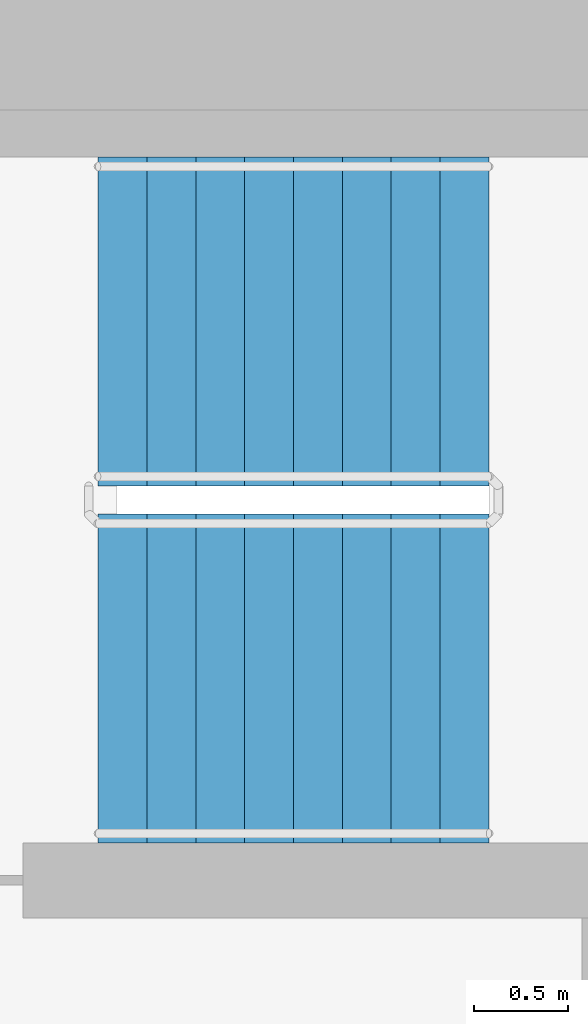
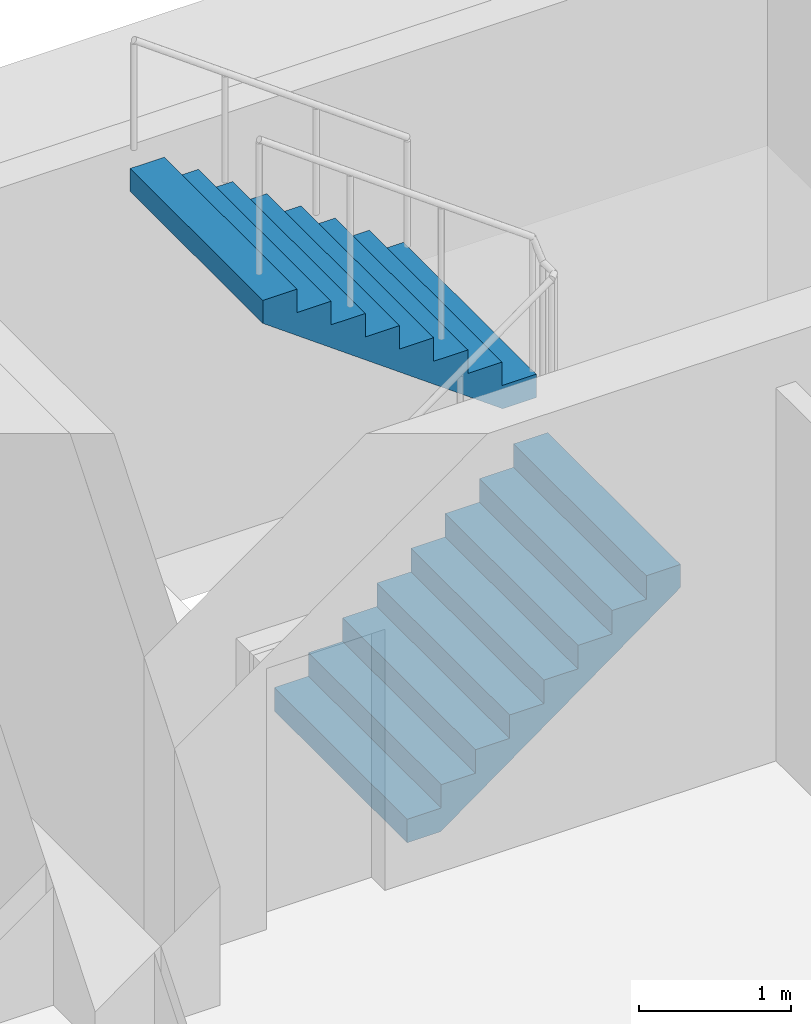
# One storey, part 17 of 22: 2 stair flights, 1 element without a shape of its own.
"""IFC4 building model written with IfcOpenShell, lengths in metres."""

from ifc_helpers import new_model, si_unit, direction, frame, origin, place, context, subcontext, project, spatial, faceted_brep, material, type_object, element, aggregate, save


model = new_model("IFC4")

# Units and contexts
model_context = context("Model", 3, precision=1e-05, world=origin(), true_north=direction((0.0, 1.0)))
body_context = subcontext(model_context, "Body", "Model", "MODEL_VIEW")
ifc_project = project(units=[si_unit("LENGTHUNIT", "METRE"), si_unit("AREAUNIT", "SQUARE_METRE"), si_unit("VOLUMEUNIT", "CUBIC_METRE"), si_unit("PLANEANGLEUNIT", "RADIAN"), si_unit("MASSUNIT", "GRAM", prefix="KILO")], contexts=[model_context])

# Site, building, storey
site_placement = place(None, origin())
site = spatial("IfcSite", under=ifc_project, at=site_placement, CompositionType="ELEMENT")
building_placement = place(site_placement, origin())
building = spatial("IfcBuilding", under=site, at=building_placement, Name="Ipe Terrace Towers", CompositionType="ELEMENT")
storey_placement = place(building_placement, frame((0.0, 0.0, 90.199951171875)))
storey = spatial("IfcBuildingStorey", under=building, at=storey_placement, Name="L24", CompositionType="ELEMENT", Elevation=90.199951171875)

# Stair, stair flights
ifc_material_1 = material(Name="Concrete C30/37", Category="concrete")
stair_type = type_object("IfcStairType", Name="Protected exit stair", PredefinedType="HALF_TURN_STAIR", material=ifc_material_1)
stair_placement = place(storey_placement, origin())
stair = element("IfcStair", 1, at=stair_placement, inside=storey, type_object=stair_type, Name="L24 Exit stair T1-C1", PredefinedType="HALF_TURN_STAIR")
ifc_material_2 = material(Name="Concrete C30/37", Category="concrete")
stair_flight_type = type_object("IfcStairFlightType", Name="Exit stair flight 1750", PredefinedType="STRAIGHT", material=ifc_material_2)
stair_flight_1_placement = place(storey_placement, frame((-26.300048828125, 2.77490234375, 0.0), z_axis=(0.0, 0.0, 1.0), x_axis=(1.0, 0.0, 0.0)))
stair_flight_1 = element("IfcStairFlight", 2, at=stair_flight_1_placement, type_object=stair_flight_type, Name="T1-ST1 flight 1", NumberOfRisers=9, NumberOfTreads=8, PredefinedType="STRAIGHT", RiserHeight=0.188888889, TreadLength=0.26, context=body_context, shape_type="Brep", body=[
    faceted_brep([(0.255126953125, -0.875, 0.0), (2.080078125, -0.875, 1.325927734375), (2.080078125, -0.875, 1.51123046875), (1.820068359375, -0.875, 1.51123046875), (1.820068359375, -0.875, 1.322265625), (1.56005859375, -0.875, 1.322265625), (1.56005859375, -0.875, 1.13330078125), (1.300048828125, -0.875, 1.13330078125), (1.300048828125, -0.875, 0.9443359375), (1.0400390625, -0.875, 0.9443359375), (1.0400390625, -0.875, 0.755615234375), (0.780029296875, -0.875, 0.755615234375), (0.780029296875, -0.875, 0.566650390625), (0.52001953125, -0.875, 0.566650390625), (0.52001953125, -0.875, 0.377685546875), (0.260009765625, -0.875, 0.377685546875), (0.260009765625, -0.875, 0.18896484375), (0.0, -0.875, 0.18896484375), (0.0, -0.875, 0.0), (0.0, 0.875, 0.0), (0.0, 0.875, 0.18896484375), (0.260009765625, 0.875, 0.18896484375), (0.260009765625, 0.875, 0.377685546875), (0.52001953125, 0.875, 0.377685546875), (0.52001953125, 0.875, 0.566650390625), (0.780029296875, 0.875, 0.566650390625), (0.780029296875, 0.875, 0.755615234375), (1.0400390625, 0.875, 0.755615234375), (1.0400390625, 0.875, 0.9443359375), (1.300048828125, 0.875, 0.9443359375), (1.300048828125, 0.875, 1.13330078125), (1.56005859375, 0.875, 1.13330078125), (1.56005859375, 0.875, 1.322265625), (1.820068359375, 0.875, 1.322265625), (1.820068359375, 0.875, 1.51123046875), (2.080078125, 0.875, 1.51123046875), (2.080078125, 0.875, 1.325927734375), (0.255126953125, 0.875, 0.0), (0.0, -0.300048828125, 0.18896484375), (0.0, -0.1201171875, 0.18896484375), (0.0, -0.06005859375, 0.18896484375), (0.0, -0.030029296875, 0.18896484375), (0.0, -0.010009765625, 0.18896484375), (0.0, 0.0, 0.18896484375), (0.0, 0.010009765625, 0.18896484375), (0.0, 0.030029296875, 0.18896484375), (0.0, 0.06005859375, 0.18896484375), (0.0, 0.1201171875, 0.18896484375), (0.0, 0.300048828125, 0.18896484375), (0.0, 0.300048828125, 0.0), (0.0, 0.1201171875, 0.0), (0.0, 0.06005859375, 0.0), (0.0, 0.030029296875, 0.0), (0.0, 0.010009765625, 0.0), (0.0, 0.0, 0.0), (0.0, -0.010009765625, 0.0), (0.0, -0.030029296875, 0.0), (0.0, -0.06005859375, 0.0), (0.0, -0.1201171875, 0.0), (0.0, -0.300048828125, 0.0), (0.260009765625, -0.300048828125, 0.18896484375), (0.260009765625, -0.1201171875, 0.18896484375), (0.260009765625, -0.06005859375, 0.18896484375), (0.260009765625, -0.030029296875, 0.18896484375), (0.260009765625, -0.010009765625, 0.18896484375), (0.260009765625, 0.0, 0.18896484375), (0.260009765625, 0.010009765625, 0.18896484375), (0.260009765625, 0.030029296875, 0.18896484375), (0.260009765625, 0.06005859375, 0.18896484375), (0.260009765625, 0.1201171875, 0.18896484375), (0.260009765625, 0.300048828125, 0.18896484375), (0.260009765625, -0.300048828125, 0.377685546875), (0.260009765625, -0.1201171875, 0.377685546875), (0.260009765625, -0.06005859375, 0.377685546875), (0.260009765625, -0.030029296875, 0.377685546875), (0.260009765625, -0.010009765625, 0.377685546875), (0.260009765625, 0.0, 0.377685546875), (0.260009765625, 0.010009765625, 0.377685546875), (0.260009765625, 0.030029296875, 0.377685546875), (0.260009765625, 0.06005859375, 0.377685546875), (0.260009765625, 0.1201171875, 0.377685546875), (0.260009765625, 0.300048828125, 0.377685546875), (0.52001953125, -0.300048828125, 0.377685546875), (0.52001953125, -0.1201171875, 0.377685546875), (0.52001953125, -0.06005859375, 0.377685546875), (0.52001953125, -0.030029296875, 0.377685546875), (0.52001953125, -0.010009765625, 0.377685546875), (0.52001953125, 0.0, 0.377685546875), (0.52001953125, 0.010009765625, 0.377685546875), (0.52001953125, 0.030029296875, 0.377685546875), (0.52001953125, 0.06005859375, 0.377685546875), (0.52001953125, 0.1201171875, 0.377685546875), (0.52001953125, 0.300048828125, 0.377685546875), (0.52001953125, -0.300048828125, 0.566650390625), (0.52001953125, -0.1201171875, 0.566650390625), (0.52001953125, -0.06005859375, 0.566650390625), (0.52001953125, -0.030029296875, 0.566650390625), (0.52001953125, -0.010009765625, 0.566650390625), (0.52001953125, 0.0, 0.566650390625), (0.52001953125, 0.010009765625, 0.566650390625), (0.52001953125, 0.030029296875, 0.566650390625), (0.52001953125, 0.06005859375, 0.566650390625), (0.52001953125, 0.1201171875, 0.566650390625), (0.52001953125, 0.300048828125, 0.566650390625), (0.780029296875, -0.300048828125, 0.566650390625), (0.780029296875, -0.1201171875, 0.566650390625), (0.780029296875, -0.06005859375, 0.566650390625), (0.780029296875, -0.030029296875, 0.566650390625), (0.780029296875, -0.010009765625, 0.566650390625), (0.780029296875, 0.0, 0.566650390625), (0.780029296875, 0.010009765625, 0.566650390625), (0.780029296875, 0.030029296875, 0.566650390625), (0.780029296875, 0.06005859375, 0.566650390625), (0.780029296875, 0.1201171875, 0.566650390625), (0.780029296875, 0.300048828125, 0.566650390625), (0.780029296875, -0.300048828125, 0.755615234375), (0.780029296875, -0.1201171875, 0.755615234375), (0.780029296875, -0.06005859375, 0.755615234375), (0.780029296875, -0.030029296875, 0.755615234375), (0.780029296875, -0.010009765625, 0.755615234375), (0.780029296875, 0.0, 0.755615234375), (0.780029296875, 0.010009765625, 0.755615234375), (0.780029296875, 0.030029296875, 0.755615234375), (0.780029296875, 0.06005859375, 0.755615234375), (0.780029296875, 0.1201171875, 0.755615234375), (0.780029296875, 0.300048828125, 0.755615234375), (1.0400390625, -0.300048828125, 0.755615234375), (1.0400390625, -0.1201171875, 0.755615234375), (1.0400390625, -0.06005859375, 0.755615234375), (1.0400390625, -0.030029296875, 0.755615234375), (1.0400390625, -0.010009765625, 0.755615234375), (1.0400390625, 0.0, 0.755615234375), (1.0400390625, 0.010009765625, 0.755615234375), (1.0400390625, 0.030029296875, 0.755615234375), (1.0400390625, 0.06005859375, 0.755615234375), (1.0400390625, 0.1201171875, 0.755615234375), (1.0400390625, 0.300048828125, 0.755615234375), (1.0400390625, -0.300048828125, 0.9443359375), (1.0400390625, -0.1201171875, 0.9443359375), (1.0400390625, -0.06005859375, 0.9443359375), (1.0400390625, -0.030029296875, 0.9443359375), (1.0400390625, -0.010009765625, 0.9443359375), (1.0400390625, 0.0, 0.9443359375), (1.0400390625, 0.010009765625, 0.9443359375), (1.0400390625, 0.030029296875, 0.9443359375), (1.0400390625, 0.06005859375, 0.9443359375), (1.0400390625, 0.1201171875, 0.9443359375), (1.0400390625, 0.300048828125, 0.9443359375), (1.300048828125, -0.300048828125, 0.9443359375), (1.300048828125, -0.1201171875, 0.9443359375), (1.300048828125, -0.06005859375, 0.9443359375), (1.300048828125, -0.030029296875, 0.9443359375), (1.300048828125, -0.010009765625, 0.9443359375), (1.300048828125, 0.0, 0.9443359375), (1.300048828125, 0.010009765625, 0.9443359375), (1.300048828125, 0.030029296875, 0.9443359375), (1.300048828125, 0.06005859375, 0.9443359375), (1.300048828125, 0.1201171875, 0.9443359375), (1.300048828125, 0.300048828125, 0.9443359375), (1.300048828125, -0.300048828125, 1.13330078125), (1.300048828125, -0.1201171875, 1.13330078125), (1.300048828125, -0.06005859375, 1.13330078125), (1.300048828125, -0.030029296875, 1.13330078125), (1.300048828125, -0.010009765625, 1.13330078125), (1.300048828125, 0.0, 1.13330078125), (1.300048828125, 0.010009765625, 1.13330078125), (1.300048828125, 0.030029296875, 1.13330078125), (1.300048828125, 0.06005859375, 1.13330078125), (1.300048828125, 0.1201171875, 1.13330078125), (1.300048828125, 0.300048828125, 1.13330078125), (1.56005859375, -0.300048828125, 1.13330078125), (1.56005859375, -0.1201171875, 1.13330078125), (1.56005859375, -0.06005859375, 1.13330078125), (1.56005859375, -0.030029296875, 1.13330078125), (1.56005859375, -0.010009765625, 1.13330078125), (1.56005859375, 0.0, 1.13330078125), (1.56005859375, 0.010009765625, 1.13330078125), (1.56005859375, 0.030029296875, 1.13330078125), (1.56005859375, 0.06005859375, 1.13330078125), (1.56005859375, 0.1201171875, 1.13330078125), (1.56005859375, 0.300048828125, 1.13330078125), (1.56005859375, -0.300048828125, 1.322265625), (1.56005859375, -0.1201171875, 1.322265625), (1.56005859375, -0.06005859375, 1.322265625), (1.56005859375, -0.030029296875, 1.322265625), (1.56005859375, -0.010009765625, 1.322265625), (1.56005859375, 0.0, 1.322265625), (1.56005859375, 0.010009765625, 1.322265625), (1.56005859375, 0.030029296875, 1.322265625), (1.56005859375, 0.06005859375, 1.322265625), (1.56005859375, 0.1201171875, 1.322265625), (1.56005859375, 0.300048828125, 1.322265625), (1.820068359375, -0.300048828125, 1.322265625), (1.820068359375, -0.1201171875, 1.322265625), (1.820068359375, -0.06005859375, 1.322265625), (1.820068359375, -0.030029296875, 1.322265625), (1.820068359375, -0.010009765625, 1.322265625), (1.820068359375, 0.0, 1.322265625), (1.820068359375, 0.010009765625, 1.322265625), (1.820068359375, 0.030029296875, 1.322265625), (1.820068359375, 0.06005859375, 1.322265625), (1.820068359375, 0.1201171875, 1.322265625), (1.820068359375, 0.300048828125, 1.322265625), (1.820068359375, -0.300048828125, 1.51123046875), (1.820068359375, -0.1201171875, 1.51123046875), (1.820068359375, -0.06005859375, 1.51123046875), (1.820068359375, -0.030029296875, 1.51123046875), (1.820068359375, -0.010009765625, 1.51123046875), (1.820068359375, 0.0, 1.51123046875), (1.820068359375, 0.010009765625, 1.51123046875), (1.820068359375, 0.030029296875, 1.51123046875), (1.820068359375, 0.06005859375, 1.51123046875), (1.820068359375, 0.1201171875, 1.51123046875), (1.820068359375, 0.300048828125, 1.51123046875), (2.080078125, -0.300048828125, 1.51123046875), (2.080078125, -0.1201171875, 1.51123046875), (2.080078125, -0.06005859375, 1.51123046875), (2.080078125, -0.030029296875, 1.51123046875), (2.080078125, -0.010009765625, 1.51123046875), (2.080078125, 0.0, 1.51123046875), (2.080078125, 0.010009765625, 1.51123046875), (2.080078125, 0.030029296875, 1.51123046875), (2.080078125, 0.06005859375, 1.51123046875), (2.080078125, 0.1201171875, 1.51123046875), (2.080078125, 0.300048828125, 1.51123046875), (2.080078125, -0.300048828125, 1.325927734375), (2.080078125, -0.1201171875, 1.325927734375), (2.080078125, -0.06005859375, 1.325927734375), (2.080078125, -0.030029296875, 1.325927734375), (2.080078125, -0.010009765625, 1.325927734375), (2.080078125, 0.0, 1.325927734375), (2.080078125, 0.010009765625, 1.325927734375), (2.080078125, 0.030029296875, 1.325927734375), (2.080078125, 0.06005859375, 1.325927734375), (2.080078125, 0.1201171875, 1.325927734375), (2.080078125, 0.300048828125, 1.325927734375), (0.255126953125, -0.300048828125, 0.0), (0.255126953125, -0.1201171875, 0.0), (0.255126953125, -0.06005859375, 0.0), (0.255126953125, -0.030029296875, 0.0), (0.255126953125, -0.010009765625, 0.0), (0.255126953125, 0.0, 0.0), (0.255126953125, 0.010009765625, 0.0), (0.255126953125, 0.030029296875, 0.0), (0.255126953125, 0.06005859375, 0.0), (0.255126953125, 0.1201171875, 0.0), (0.255126953125, 0.300048828125, 0.0)], [[[0, 1, 2, 3, 4, 5, 6, 7, 8, 9, 10, 11, 12, 13, 14, 15, 16, 17, 18]], [[19, 20, 21, 22, 23, 24, 25, 26, 27, 28, 29, 30, 31, 32, 33, 34, 35, 36, 37]], [[17, 38, 39, 40, 41, 42, 43, 44, 45, 46, 47, 48, 20, 19, 49, 50, 51, 52, 53, 54, 55, 56, 57, 58, 59, 18]], [[16, 60, 61, 62, 63, 64, 65, 66, 67, 68, 69, 70, 21, 20, 48, 47, 46, 45, 44, 43, 42, 41, 40, 39, 38, 17]], [[15, 71, 72, 73, 74, 75, 76, 77, 78, 79, 80, 81, 22, 21, 70, 69, 68, 67, 66, 65, 64, 63, 62, 61, 60, 16]], [[14, 82, 83, 84, 85, 86, 87, 88, 89, 90, 91, 92, 23, 22, 81, 80, 79, 78, 77, 76, 75, 74, 73, 72, 71, 15]], [[13, 93, 94, 95, 96, 97, 98, 99, 100, 101, 102, 103, 24, 23, 92, 91, 90, 89, 88, 87, 86, 85, 84, 83, 82, 14]], [[12, 104, 105, 106, 107, 108, 109, 110, 111, 112, 113, 114, 25, 24, 103, 102, 101, 100, 99, 98, 97, 96, 95, 94, 93, 13]], [[11, 115, 116, 117, 118, 119, 120, 121, 122, 123, 124, 125, 26, 25, 114, 113, 112, 111, 110, 109, 108, 107, 106, 105, 104, 12]], [[10, 126, 127, 128, 129, 130, 131, 132, 133, 134, 135, 136, 27, 26, 125, 124, 123, 122, 121, 120, 119, 118, 117, 116, 115, 11]], [[9, 137, 138, 139, 140, 141, 142, 143, 144, 145, 146, 147, 28, 27, 136, 135, 134, 133, 132, 131, 130, 129, 128, 127, 126, 10]], [[8, 148, 149, 150, 151, 152, 153, 154, 155, 156, 157, 158, 29, 28, 147, 146, 145, 144, 143, 142, 141, 140, 139, 138, 137, 9]], [[7, 159, 160, 161, 162, 163, 164, 165, 166, 167, 168, 169, 30, 29, 158, 157, 156, 155, 154, 153, 152, 151, 150, 149, 148, 8]], [[6, 170, 171, 172, 173, 174, 175, 176, 177, 178, 179, 180, 31, 30, 169, 168, 167, 166, 165, 164, 163, 162, 161, 160, 159, 7]], [[5, 181, 182, 183, 184, 185, 186, 187, 188, 189, 190, 191, 32, 31, 180, 179, 178, 177, 176, 175, 174, 173, 172, 171, 170, 6]], [[4, 192, 193, 194, 195, 196, 197, 198, 199, 200, 201, 202, 33, 32, 191, 190, 189, 188, 187, 186, 185, 184, 183, 182, 181, 5]], [[3, 203, 204, 205, 206, 207, 208, 209, 210, 211, 212, 213, 34, 33, 202, 201, 200, 199, 198, 197, 196, 195, 194, 193, 192, 4]], [[2, 214, 215, 216, 217, 218, 219, 220, 221, 222, 223, 224, 35, 34, 213, 212, 211, 210, 209, 208, 207, 206, 205, 204, 203, 3]], [[1, 225, 226, 227, 228, 229, 230, 231, 232, 233, 234, 235, 36, 35, 224, 223, 222, 221, 220, 219, 218, 217, 216, 215, 214, 2]], [[0, 236, 237, 238, 239, 240, 241, 242, 243, 244, 245, 246, 37, 36, 235, 234, 233, 232, 231, 230, 229, 228, 227, 226, 225, 1]], [[18, 59, 58, 57, 56, 55, 54, 53, 52, 51, 50, 49, 19, 37, 246, 245, 244, 243, 242, 241, 240, 239, 238, 237, 236, 0]]]),
])
stair_flight_2_placement = place(storey_placement, frame((-24.219970703125, 4.675048828125, 1.699951171875), z_axis=(0.0, 0.0, 1.0), x_axis=(-1.0, 0.0, 0.0)))
stair_flight_2 = element("IfcStairFlight", 3, at=stair_flight_2_placement, type_object=stair_flight_type, Name="T1-ST1 flight 2", NumberOfRisers=9, NumberOfTreads=8, PredefinedType="STRAIGHT", RiserHeight=0.188888889, TreadLength=0.26, context=body_context, shape_type="Brep", body=[
    faceted_brep([(0.255126953125, -0.875, 0.0), (2.080078125, -0.875, 1.325927734375), (2.080078125, -0.875, 1.51123046875), (1.820068359375, -0.875, 1.51123046875), (1.820068359375, -0.875, 1.322265625), (1.56005859375, -0.875, 1.322265625), (1.56005859375, -0.875, 1.13330078125), (1.300048828125, -0.875, 1.13330078125), (1.300048828125, -0.875, 0.9443359375), (1.0400390625, -0.875, 0.9443359375), (1.0400390625, -0.875, 0.755615234375), (0.780029296875, -0.875, 0.755615234375), (0.780029296875, -0.875, 0.566650390625), (0.52001953125, -0.875, 0.566650390625), (0.52001953125, -0.875, 0.377685546875), (0.260009765625, -0.875, 0.377685546875), (0.260009765625, -0.875, 0.18896484375), (0.0, -0.875, 0.18896484375), (0.0, -0.875, 0.0), (0.0, 0.875, 0.0), (0.0, 0.875, 0.18896484375), (0.260009765625, 0.875, 0.18896484375), (0.260009765625, 0.875, 0.377685546875), (0.52001953125, 0.875, 0.377685546875), (0.52001953125, 0.875, 0.566650390625), (0.780029296875, 0.875, 0.566650390625), (0.780029296875, 0.875, 0.755615234375), (1.0400390625, 0.875, 0.755615234375), (1.0400390625, 0.875, 0.9443359375), (1.300048828125, 0.875, 0.9443359375), (1.300048828125, 0.875, 1.13330078125), (1.56005859375, 0.875, 1.13330078125), (1.56005859375, 0.875, 1.322265625), (1.820068359375, 0.875, 1.322265625), (1.820068359375, 0.875, 1.51123046875), (2.080078125, 0.875, 1.51123046875), (2.080078125, 0.875, 1.325927734375), (0.255126953125, 0.875, 0.0), (0.0, -0.300048828125, 0.18896484375), (0.0, -0.1201171875, 0.18896484375), (0.0, -0.06005859375, 0.18896484375), (0.0, -0.030029296875, 0.18896484375), (0.0, -0.010009765625, 0.18896484375), (0.0, 0.0, 0.18896484375), (0.0, 0.010009765625, 0.18896484375), (0.0, 0.030029296875, 0.18896484375), (0.0, 0.06005859375, 0.18896484375), (0.0, 0.1201171875, 0.18896484375), (0.0, 0.300048828125, 0.18896484375), (0.0, 0.300048828125, 0.0), (0.0, 0.1201171875, 0.0), (0.0, 0.06005859375, 0.0), (0.0, 0.030029296875, 0.0), (0.0, 0.010009765625, 0.0), (0.0, 0.0, 0.0), (0.0, -0.010009765625, 0.0), (0.0, -0.030029296875, 0.0), (0.0, -0.06005859375, 0.0), (0.0, -0.1201171875, 0.0), (0.0, -0.300048828125, 0.0), (0.260009765625, -0.300048828125, 0.18896484375), (0.260009765625, -0.1201171875, 0.18896484375), (0.260009765625, -0.06005859375, 0.18896484375), (0.260009765625, -0.030029296875, 0.18896484375), (0.260009765625, -0.010009765625, 0.18896484375), (0.260009765625, 0.0, 0.18896484375), (0.260009765625, 0.010009765625, 0.18896484375), (0.260009765625, 0.030029296875, 0.18896484375), (0.260009765625, 0.06005859375, 0.18896484375), (0.260009765625, 0.1201171875, 0.18896484375), (0.260009765625, 0.300048828125, 0.18896484375), (0.260009765625, -0.300048828125, 0.377685546875), (0.260009765625, -0.1201171875, 0.377685546875), (0.260009765625, -0.06005859375, 0.377685546875), (0.260009765625, -0.030029296875, 0.377685546875), (0.260009765625, -0.010009765625, 0.377685546875), (0.260009765625, 0.0, 0.377685546875), (0.260009765625, 0.010009765625, 0.377685546875), (0.260009765625, 0.030029296875, 0.377685546875), (0.260009765625, 0.06005859375, 0.377685546875), (0.260009765625, 0.1201171875, 0.377685546875), (0.260009765625, 0.300048828125, 0.377685546875), (0.52001953125, -0.300048828125, 0.377685546875), (0.52001953125, -0.1201171875, 0.377685546875), (0.52001953125, -0.06005859375, 0.377685546875), (0.52001953125, -0.030029296875, 0.377685546875), (0.52001953125, -0.010009765625, 0.377685546875), (0.52001953125, 0.0, 0.377685546875), (0.52001953125, 0.010009765625, 0.377685546875), (0.52001953125, 0.030029296875, 0.377685546875), (0.52001953125, 0.06005859375, 0.377685546875), (0.52001953125, 0.1201171875, 0.377685546875), (0.52001953125, 0.300048828125, 0.377685546875), (0.52001953125, -0.300048828125, 0.566650390625), (0.52001953125, -0.1201171875, 0.566650390625), (0.52001953125, -0.06005859375, 0.566650390625), (0.52001953125, -0.030029296875, 0.566650390625), (0.52001953125, -0.010009765625, 0.566650390625), (0.52001953125, 0.0, 0.566650390625), (0.52001953125, 0.010009765625, 0.566650390625), (0.52001953125, 0.030029296875, 0.566650390625), (0.52001953125, 0.06005859375, 0.566650390625), (0.52001953125, 0.1201171875, 0.566650390625), (0.52001953125, 0.300048828125, 0.566650390625), (0.780029296875, -0.300048828125, 0.566650390625), (0.780029296875, -0.1201171875, 0.566650390625), (0.780029296875, -0.06005859375, 0.566650390625), (0.780029296875, -0.030029296875, 0.566650390625), (0.780029296875, -0.010009765625, 0.566650390625), (0.780029296875, 0.0, 0.566650390625), (0.780029296875, 0.010009765625, 0.566650390625), (0.780029296875, 0.030029296875, 0.566650390625), (0.780029296875, 0.06005859375, 0.566650390625), (0.780029296875, 0.1201171875, 0.566650390625), (0.780029296875, 0.300048828125, 0.566650390625), (0.780029296875, -0.300048828125, 0.755615234375), (0.780029296875, -0.1201171875, 0.755615234375), (0.780029296875, -0.06005859375, 0.755615234375), (0.780029296875, -0.030029296875, 0.755615234375), (0.780029296875, -0.010009765625, 0.755615234375), (0.780029296875, 0.0, 0.755615234375), (0.780029296875, 0.010009765625, 0.755615234375), (0.780029296875, 0.030029296875, 0.755615234375), (0.780029296875, 0.06005859375, 0.755615234375), (0.780029296875, 0.1201171875, 0.755615234375), (0.780029296875, 0.300048828125, 0.755615234375), (1.0400390625, -0.300048828125, 0.755615234375), (1.0400390625, -0.1201171875, 0.755615234375), (1.0400390625, -0.06005859375, 0.755615234375), (1.0400390625, -0.030029296875, 0.755615234375), (1.0400390625, -0.010009765625, 0.755615234375), (1.0400390625, 0.0, 0.755615234375), (1.0400390625, 0.010009765625, 0.755615234375), (1.0400390625, 0.030029296875, 0.755615234375), (1.0400390625, 0.06005859375, 0.755615234375), (1.0400390625, 0.1201171875, 0.755615234375), (1.0400390625, 0.300048828125, 0.755615234375), (1.0400390625, -0.300048828125, 0.9443359375), (1.0400390625, -0.1201171875, 0.9443359375), (1.0400390625, -0.06005859375, 0.9443359375), (1.0400390625, -0.030029296875, 0.9443359375), (1.0400390625, -0.010009765625, 0.9443359375), (1.0400390625, 0.0, 0.9443359375), (1.0400390625, 0.010009765625, 0.9443359375), (1.0400390625, 0.030029296875, 0.9443359375), (1.0400390625, 0.06005859375, 0.9443359375), (1.0400390625, 0.1201171875, 0.9443359375), (1.0400390625, 0.300048828125, 0.9443359375), (1.300048828125, -0.300048828125, 0.9443359375), (1.300048828125, -0.1201171875, 0.9443359375), (1.300048828125, -0.06005859375, 0.9443359375), (1.300048828125, -0.030029296875, 0.9443359375), (1.300048828125, -0.010009765625, 0.9443359375), (1.300048828125, 0.0, 0.9443359375), (1.300048828125, 0.010009765625, 0.9443359375), (1.300048828125, 0.030029296875, 0.9443359375), (1.300048828125, 0.06005859375, 0.9443359375), (1.300048828125, 0.1201171875, 0.9443359375), (1.300048828125, 0.300048828125, 0.9443359375), (1.300048828125, -0.300048828125, 1.13330078125), (1.300048828125, -0.1201171875, 1.13330078125), (1.300048828125, -0.06005859375, 1.13330078125), (1.300048828125, -0.030029296875, 1.13330078125), (1.300048828125, -0.010009765625, 1.13330078125), (1.300048828125, 0.0, 1.13330078125), (1.300048828125, 0.010009765625, 1.13330078125), (1.300048828125, 0.030029296875, 1.13330078125), (1.300048828125, 0.06005859375, 1.13330078125), (1.300048828125, 0.1201171875, 1.13330078125), (1.300048828125, 0.300048828125, 1.13330078125), (1.56005859375, -0.300048828125, 1.13330078125), (1.56005859375, -0.1201171875, 1.13330078125), (1.56005859375, -0.06005859375, 1.13330078125), (1.56005859375, -0.030029296875, 1.13330078125), (1.56005859375, -0.010009765625, 1.13330078125), (1.56005859375, 0.0, 1.13330078125), (1.56005859375, 0.010009765625, 1.13330078125), (1.56005859375, 0.030029296875, 1.13330078125), (1.56005859375, 0.06005859375, 1.13330078125), (1.56005859375, 0.1201171875, 1.13330078125), (1.56005859375, 0.300048828125, 1.13330078125), (1.56005859375, -0.300048828125, 1.322265625), (1.56005859375, -0.1201171875, 1.322265625), (1.56005859375, -0.06005859375, 1.322265625), (1.56005859375, -0.030029296875, 1.322265625), (1.56005859375, -0.010009765625, 1.322265625), (1.56005859375, 0.0, 1.322265625), (1.56005859375, 0.010009765625, 1.322265625), (1.56005859375, 0.030029296875, 1.322265625), (1.56005859375, 0.06005859375, 1.322265625), (1.56005859375, 0.1201171875, 1.322265625), (1.56005859375, 0.300048828125, 1.322265625), (1.820068359375, -0.300048828125, 1.322265625), (1.820068359375, -0.1201171875, 1.322265625), (1.820068359375, -0.06005859375, 1.322265625), (1.820068359375, -0.030029296875, 1.322265625), (1.820068359375, -0.010009765625, 1.322265625), (1.820068359375, 0.0, 1.322265625), (1.820068359375, 0.010009765625, 1.322265625), (1.820068359375, 0.030029296875, 1.322265625), (1.820068359375, 0.06005859375, 1.322265625), (1.820068359375, 0.1201171875, 1.322265625), (1.820068359375, 0.300048828125, 1.322265625), (1.820068359375, -0.300048828125, 1.51123046875), (1.820068359375, -0.1201171875, 1.51123046875), (1.820068359375, -0.06005859375, 1.51123046875), (1.820068359375, -0.030029296875, 1.51123046875), (1.820068359375, -0.010009765625, 1.51123046875), (1.820068359375, 0.0, 1.51123046875), (1.820068359375, 0.010009765625, 1.51123046875), (1.820068359375, 0.030029296875, 1.51123046875), (1.820068359375, 0.06005859375, 1.51123046875), (1.820068359375, 0.1201171875, 1.51123046875), (1.820068359375, 0.300048828125, 1.51123046875), (2.080078125, -0.300048828125, 1.51123046875), (2.080078125, -0.1201171875, 1.51123046875), (2.080078125, -0.06005859375, 1.51123046875), (2.080078125, -0.030029296875, 1.51123046875), (2.080078125, -0.010009765625, 1.51123046875), (2.080078125, 0.0, 1.51123046875), (2.080078125, 0.010009765625, 1.51123046875), (2.080078125, 0.030029296875, 1.51123046875), (2.080078125, 0.06005859375, 1.51123046875), (2.080078125, 0.1201171875, 1.51123046875), (2.080078125, 0.300048828125, 1.51123046875), (2.080078125, -0.300048828125, 1.325927734375), (2.080078125, -0.1201171875, 1.325927734375), (2.080078125, -0.06005859375, 1.325927734375), (2.080078125, -0.030029296875, 1.325927734375), (2.080078125, -0.010009765625, 1.325927734375), (2.080078125, 0.0, 1.325927734375), (2.080078125, 0.010009765625, 1.325927734375), (2.080078125, 0.030029296875, 1.325927734375), (2.080078125, 0.06005859375, 1.325927734375), (2.080078125, 0.1201171875, 1.325927734375), (2.080078125, 0.300048828125, 1.325927734375), (0.255126953125, -0.300048828125, 0.0), (0.255126953125, -0.1201171875, 0.0), (0.255126953125, -0.06005859375, 0.0), (0.255126953125, -0.030029296875, 0.0), (0.255126953125, -0.010009765625, 0.0), (0.255126953125, 0.0, 0.0), (0.255126953125, 0.010009765625, 0.0), (0.255126953125, 0.030029296875, 0.0), (0.255126953125, 0.06005859375, 0.0), (0.255126953125, 0.1201171875, 0.0), (0.255126953125, 0.300048828125, 0.0)], [[[0, 1, 2, 3, 4, 5, 6, 7, 8, 9, 10, 11, 12, 13, 14, 15, 16, 17, 18]], [[19, 20, 21, 22, 23, 24, 25, 26, 27, 28, 29, 30, 31, 32, 33, 34, 35, 36, 37]], [[17, 38, 39, 40, 41, 42, 43, 44, 45, 46, 47, 48, 20, 19, 49, 50, 51, 52, 53, 54, 55, 56, 57, 58, 59, 18]], [[16, 60, 61, 62, 63, 64, 65, 66, 67, 68, 69, 70, 21, 20, 48, 47, 46, 45, 44, 43, 42, 41, 40, 39, 38, 17]], [[15, 71, 72, 73, 74, 75, 76, 77, 78, 79, 80, 81, 22, 21, 70, 69, 68, 67, 66, 65, 64, 63, 62, 61, 60, 16]], [[14, 82, 83, 84, 85, 86, 87, 88, 89, 90, 91, 92, 23, 22, 81, 80, 79, 78, 77, 76, 75, 74, 73, 72, 71, 15]], [[13, 93, 94, 95, 96, 97, 98, 99, 100, 101, 102, 103, 24, 23, 92, 91, 90, 89, 88, 87, 86, 85, 84, 83, 82, 14]], [[12, 104, 105, 106, 107, 108, 109, 110, 111, 112, 113, 114, 25, 24, 103, 102, 101, 100, 99, 98, 97, 96, 95, 94, 93, 13]], [[11, 115, 116, 117, 118, 119, 120, 121, 122, 123, 124, 125, 26, 25, 114, 113, 112, 111, 110, 109, 108, 107, 106, 105, 104, 12]], [[10, 126, 127, 128, 129, 130, 131, 132, 133, 134, 135, 136, 27, 26, 125, 124, 123, 122, 121, 120, 119, 118, 117, 116, 115, 11]], [[9, 137, 138, 139, 140, 141, 142, 143, 144, 145, 146, 147, 28, 27, 136, 135, 134, 133, 132, 131, 130, 129, 128, 127, 126, 10]], [[8, 148, 149, 150, 151, 152, 153, 154, 155, 156, 157, 158, 29, 28, 147, 146, 145, 144, 143, 142, 141, 140, 139, 138, 137, 9]], [[7, 159, 160, 161, 162, 163, 164, 165, 166, 167, 168, 169, 30, 29, 158, 157, 156, 155, 154, 153, 152, 151, 150, 149, 148, 8]], [[6, 170, 171, 172, 173, 174, 175, 176, 177, 178, 179, 180, 31, 30, 169, 168, 167, 166, 165, 164, 163, 162, 161, 160, 159, 7]], [[5, 181, 182, 183, 184, 185, 186, 187, 188, 189, 190, 191, 32, 31, 180, 179, 178, 177, 176, 175, 174, 173, 172, 171, 170, 6]], [[4, 192, 193, 194, 195, 196, 197, 198, 199, 200, 201, 202, 33, 32, 191, 190, 189, 188, 187, 186, 185, 184, 183, 182, 181, 5]], [[3, 203, 204, 205, 206, 207, 208, 209, 210, 211, 212, 213, 34, 33, 202, 201, 200, 199, 198, 197, 196, 195, 194, 193, 192, 4]], [[2, 214, 215, 216, 217, 218, 219, 220, 221, 222, 223, 224, 35, 34, 213, 212, 211, 210, 209, 208, 207, 206, 205, 204, 203, 3]], [[1, 225, 226, 227, 228, 229, 230, 231, 232, 233, 234, 235, 36, 35, 224, 223, 222, 221, 220, 219, 218, 217, 216, 215, 214, 2]], [[0, 236, 237, 238, 239, 240, 241, 242, 243, 244, 245, 246, 37, 36, 235, 234, 233, 232, 231, 230, 229, 228, 227, 226, 225, 1]], [[18, 59, 58, 57, 56, 55, 54, 53, 52, 51, 50, 49, 19, 37, 246, 245, 244, 243, 242, 241, 240, 239, 238, 237, 236, 0]]]),
])
aggregate(stair, [stair_flight_1, stair_flight_2])

save(model, "model.ifc")
